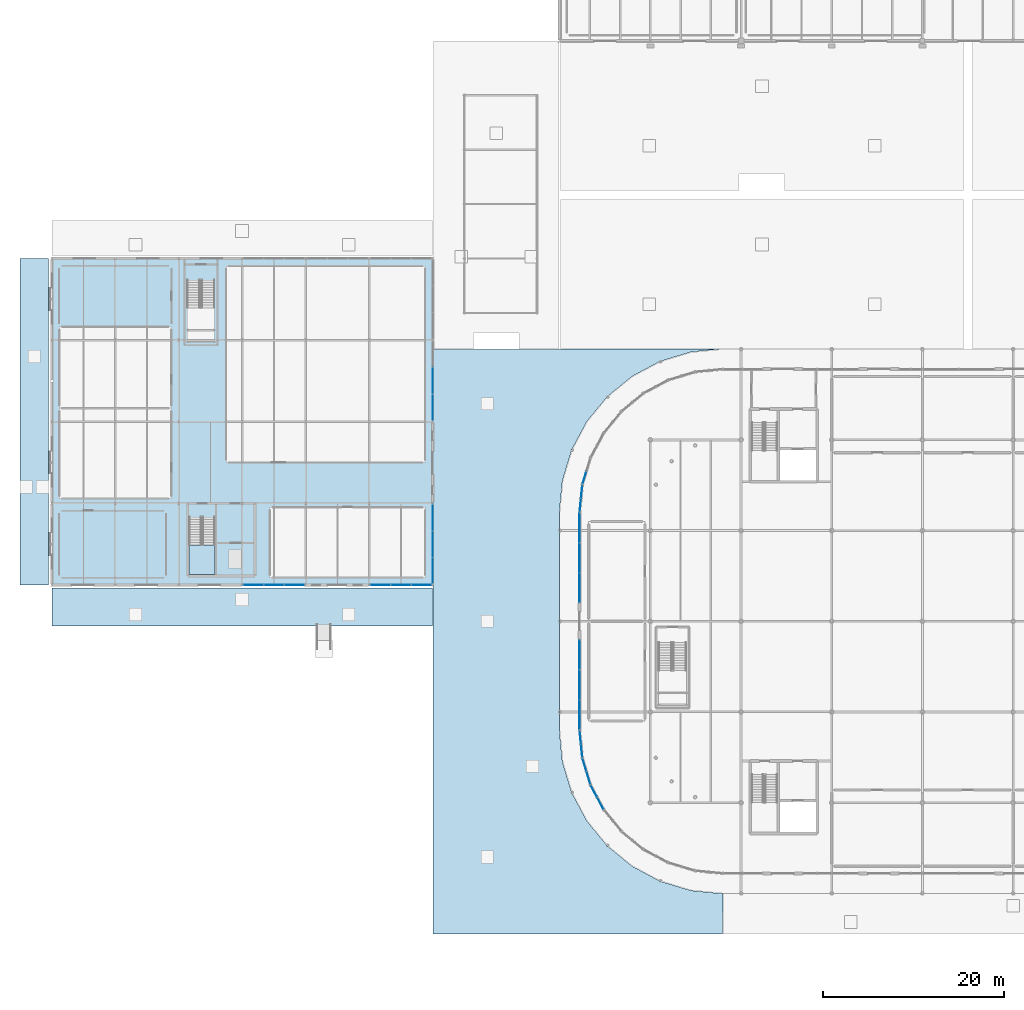
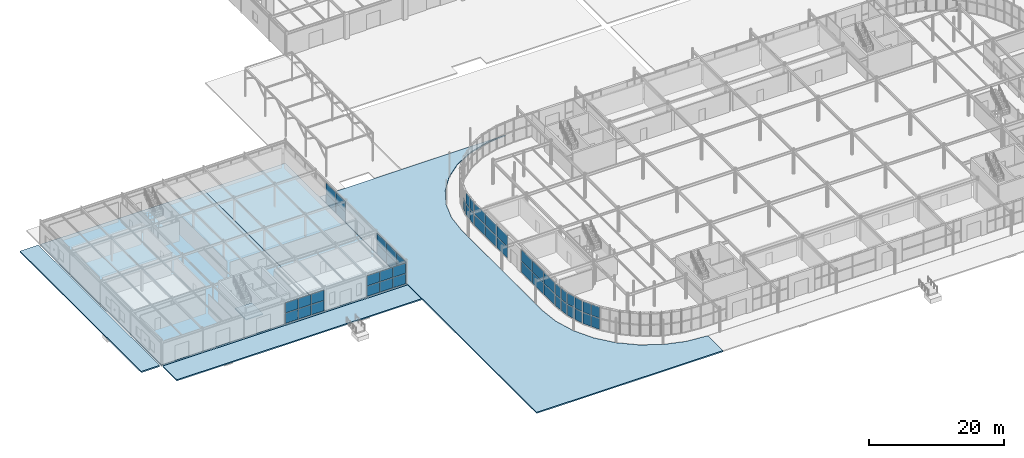
# One storey, part 73 of 119: 51 plates, 6 slabs, 12 elements without a shape of their own.
"""IFC4 building model written with IfcOpenShell, lengths in metres."""

from ifc_helpers import new_model, si_unit, derived_unit, direction, frame, origin, origin_2d_with_axis, place, context, subcontext, project, spatial, polyline, rectangle, outline, extrude, material, layer, layer_set, type_object, element, aggregate, save


model = new_model("IFC4")

# Units and contexts
model_context = context("Model", 3, precision=1e-05, world=origin(), true_north=direction((0.0, 1.0)))
body_context = subcontext(model_context, "Body", "Model", "MODEL_VIEW")
ifc_project = project(units=[si_unit("LENGTHUNIT", "METRE"), si_unit("AREAUNIT", "SQUARE_METRE"), si_unit("VOLUMEUNIT", "CUBIC_METRE"), si_unit("PLANEANGLEUNIT", "RADIAN"), si_unit("MASSUNIT", "GRAM", prefix="KILO"), derived_unit("THERMALTRANSMITTANCEUNIT", [(si_unit("POWERUNIT", "WATT"), 1), (si_unit("LENGTHUNIT", "METRE"), -2), (si_unit("THERMODYNAMICTEMPERATUREUNIT", "KELVIN"), -1)])], contexts=[model_context])

# Site, building, storey
site_placement = place(None, origin())
site = spatial("IfcSite", under=ifc_project, at=site_placement, CompositionType="ELEMENT")
building_placement = place(site_placement, origin())
building = spatial("IfcBuilding", under=site, at=building_placement, Name="Cinnabar Yard Market Hall", CompositionType="ELEMENT")
storey_placement = place(building_placement, origin())
storey = spatial("IfcBuildingStorey", under=building, at=storey_placement, Name="L00", CompositionType="ELEMENT", Elevation=0.0)

# Curtain wall, plates
ifc_material_1 = material(Name="Anodised bronze aluminium curved-chord facade", Category="aluminium")
curtain_wall_type_1 = type_object("IfcCurtainWallType", Name="CW-CWC031x42", PredefinedType="NOTDEFINED", material=ifc_material_1)
curtain_wall_1_placement = place(storey_placement, origin())
curtain_wall_1 = element("IfcCurtainWall", 1, at=curtain_wall_1_placement, inside=storey, type_object=curtain_wall_type_1, Name="Corner SW Chord 1 L00", PredefinedType="NOTDEFINED")
ifc_material_2 = material(Name="Low-E laminated glass", Category="glass")
ifc_layer_1 = layer(ifc_material_2, 0.031982421875)
ifc_layer_set_1 = layer_set([ifc_layer_1], Name="Low-E laminated glass")
plate_type_1 = type_object("IfcPlateType", Name="CWP-GP141x199", PredefinedType="CURTAIN_PANEL", material=ifc_layer_set_1)
plate_1_placement = place(storey_placement, frame((68.278076171875, 31.20703125, 0.08984375), z_axis=(0.0, 0.0, 1.0), x_axis=(0.098020369342, -0.995184408637, 0.0)))
plate_1 = element("IfcPlate", 2, at=plate_1_placement, type_object=plate_type_1, Name="CWC031x42 panel 1.1", PredefinedType="CURTAIN_PANEL", context=body_context, shape_type="SweptSolid", body=[
    extrude(rectangle(XDim=1.41357421875, YDim=0.031982421875, at=origin_2d_with_axis()), origin(), (0.0, 0.0, 1.0), 1.985107421875),
])
plate_2_placement = place(storey_placement, frame((68.278076171875, 31.20703125, 2.1650390625), z_axis=(0.0, 0.0, 1.0), x_axis=(0.098020369342, -0.995184408637, 0.0)))
plate_2 = element("IfcPlate", 3, at=plate_2_placement, type_object=plate_type_1, Name="CWC031x42 panel 1.2", PredefinedType="CURTAIN_PANEL", context=body_context, shape_type="SweptSolid", body=[
    extrude(rectangle(XDim=1.41357421875, YDim=0.031982421875, at=origin_2d_with_axis()), origin(), (0.0, 0.0, 1.0), 1.985107421875),
])
plate_3_placement = place(storey_placement, frame((68.425537109375, 29.710693359375, 0.08984375), z_axis=(0.0, 0.0, 1.0), x_axis=(0.098020369342, -0.995184408637, 0.0)))
plate_3 = element("IfcPlate", 4, at=plate_3_placement, type_object=plate_type_1, Name="CWC031x42 panel 2.1", PredefinedType="CURTAIN_PANEL", context=body_context, shape_type="SweptSolid", body=[
    extrude(rectangle(XDim=1.41357421875, YDim=0.031982421875, at=origin_2d_with_axis()), origin(), (0.0, 0.0, 1.0), 1.985107421875),
])
plate_4_placement = place(storey_placement, frame((68.425537109375, 29.710693359375, 2.1650390625), z_axis=(0.0, 0.0, 1.0), x_axis=(0.098020369342, -0.995184408637, 0.0)))
plate_4 = element("IfcPlate", 5, at=plate_4_placement, type_object=plate_type_1, Name="CWC031x42 panel 2.2", PredefinedType="CURTAIN_PANEL", context=body_context, shape_type="SweptSolid", body=[
    extrude(rectangle(XDim=1.41357421875, YDim=0.031982421875, at=origin_2d_with_axis()), origin(), (0.0, 0.0, 1.0), 1.985107421875),
])
aggregate(curtain_wall_1, [plate_1, plate_2, plate_3, plate_4])

curtain_wall_2_placement = place(storey_placement, origin())
curtain_wall_2 = element("IfcCurtainWall", 6, at=curtain_wall_2_placement, inside=storey, type_object=curtain_wall_type_1, Name="Corner SW Chord 2 L00", PredefinedType="NOTDEFINED")
plate_5_placement = place(storey_placement, frame((68.73486328125, 28.155029296875, 0.08984375), z_axis=(0.0, 0.0, 1.0), x_axis=(0.290278891325, -0.956942090856, 0.0)))
plate_5 = element("IfcPlate", 7, at=plate_5_placement, type_object=plate_type_1, Name="CWC031x42 panel 1.1", PredefinedType="CURTAIN_PANEL", context=body_context, shape_type="SweptSolid", body=[
    extrude(rectangle(XDim=1.41357421875, YDim=0.031982421875, at=origin_2d_with_axis()), origin(), (0.0, 0.0, 1.0), 1.985107421875),
])
plate_6_placement = place(storey_placement, frame((68.73486328125, 28.155029296875, 2.1650390625), z_axis=(0.0, 0.0, 1.0), x_axis=(0.290278891325, -0.956942090856, 0.0)))
plate_6 = element("IfcPlate", 8, at=plate_6_placement, type_object=plate_type_1, Name="CWC031x42 panel 1.2", PredefinedType="CURTAIN_PANEL", context=body_context, shape_type="SweptSolid", body=[
    extrude(rectangle(XDim=1.41357421875, YDim=0.031982421875, at=origin_2d_with_axis()), origin(), (0.0, 0.0, 1.0), 1.985107421875),
])
plate_7_placement = place(storey_placement, frame((69.17138671875, 26.716064453125, 0.08984375), z_axis=(0.0, 0.0, 1.0), x_axis=(0.290278891325, -0.956942090856, 0.0)))
plate_7 = element("IfcPlate", 9, at=plate_7_placement, type_object=plate_type_1, Name="CWC031x42 panel 2.1", PredefinedType="CURTAIN_PANEL", context=body_context, shape_type="SweptSolid", body=[
    extrude(rectangle(XDim=1.41357421875, YDim=0.031982421875, at=origin_2d_with_axis()), origin(), (0.0, 0.0, 1.0), 1.985107421875),
])
plate_8_placement = place(storey_placement, frame((69.17138671875, 26.716064453125, 2.1650390625), z_axis=(0.0, 0.0, 1.0), x_axis=(0.290278891325, -0.956942090856, 0.0)))
plate_8 = element("IfcPlate", 10, at=plate_8_placement, type_object=plate_type_1, Name="CWC031x42 panel 2.2", PredefinedType="CURTAIN_PANEL", context=body_context, shape_type="SweptSolid", body=[
    extrude(rectangle(XDim=1.41357421875, YDim=0.031982421875, at=origin_2d_with_axis()), origin(), (0.0, 0.0, 1.0), 1.985107421875),
])
aggregate(curtain_wall_2, [plate_5, plate_6, plate_7, plate_8])

curtain_wall_3_placement = place(storey_placement, origin())
curtain_wall_3 = element("IfcCurtainWall", 11, at=curtain_wall_3_placement, inside=storey, type_object=curtain_wall_type_1, Name="Corner SW Chord 3 L00", PredefinedType="NOTDEFINED")
plate_9_placement = place(storey_placement, frame((69.7783203125, 25.2509765625, 0.08984375), z_axis=(0.0, 0.0, 1.0), x_axis=(0.471404114786, -0.881917320707, 0.0)))
plate_9 = element("IfcPlate", 12, at=plate_9_placement, type_object=plate_type_1, Name="CWC031x42 panel 1.1", PredefinedType="CURTAIN_PANEL", context=body_context, shape_type="SweptSolid", body=[
    extrude(rectangle(XDim=1.41357421875, YDim=0.031982421875, at=origin_2d_with_axis()), origin(), (0.0, 0.0, 1.0), 1.985107421875),
])
plate_10_placement = place(storey_placement, frame((69.7783203125, 25.2509765625, 2.1650390625), z_axis=(0.0, 0.0, 1.0), x_axis=(0.471404114786, -0.881917320707, 0.0)))
plate_10 = element("IfcPlate", 13, at=plate_10_placement, type_object=plate_type_1, Name="CWC031x42 panel 1.2", PredefinedType="CURTAIN_PANEL", context=body_context, shape_type="SweptSolid", body=[
    extrude(rectangle(XDim=1.41357421875, YDim=0.031982421875, at=origin_2d_with_axis()), origin(), (0.0, 0.0, 1.0), 1.985107421875),
])
plate_11_placement = place(storey_placement, frame((70.487060546875, 23.9248046875, 0.08984375), z_axis=(0.0, 0.0, 1.0), x_axis=(0.471404114786, -0.881917320707, 0.0)))
plate_11 = element("IfcPlate", 14, at=plate_11_placement, type_object=plate_type_1, Name="CWC031x42 panel 2.1", PredefinedType="CURTAIN_PANEL", context=body_context, shape_type="SweptSolid", body=[
    extrude(rectangle(XDim=1.41357421875, YDim=0.031982421875, at=origin_2d_with_axis()), origin(), (0.0, 0.0, 1.0), 1.985107421875),
])
plate_12_placement = place(storey_placement, frame((70.487060546875, 23.9248046875, 2.1650390625), z_axis=(0.0, 0.0, 1.0), x_axis=(0.471404114786, -0.881917320707, 0.0)))
plate_12 = element("IfcPlate", 15, at=plate_12_placement, type_object=plate_type_1, Name="CWC031x42 panel 2.2", PredefinedType="CURTAIN_PANEL", context=body_context, shape_type="SweptSolid", body=[
    extrude(rectangle(XDim=1.41357421875, YDim=0.031982421875, at=origin_2d_with_axis()), origin(), (0.0, 0.0, 1.0), 1.985107421875),
])
aggregate(curtain_wall_3, [plate_9, plate_10, plate_11, plate_12])

# Curtain wall, plate
curtain_wall_4_placement = place(storey_placement, origin())
curtain_wall_4 = element("IfcCurtainWall", 16, at=curtain_wall_4_placement, inside=storey, type_object=curtain_wall_type_1, Name="Corner NW Chord 7 L00", PredefinedType="NOTDEFINED")
plate_13_placement = place(storey_placement, frame((68.73486328125, 59.844970703125, 0.08984375), z_axis=(0.0, 0.0, 1.0), x_axis=(-0.290278891325, -0.956942090856, 0.0)))
plate_13 = element("IfcPlate", 17, at=plate_13_placement, type_object=plate_type_1, Name="CWC031x42 panel 2.1", PredefinedType="CURTAIN_PANEL", context=body_context, shape_type="SweptSolid", body=[
    extrude(rectangle(XDim=1.41357421875, YDim=0.031982421875, at=origin_2d_with_axis()), origin(), (0.0, 0.0, 1.0), 1.985107421875),
])
aggregate(curtain_wall_4, [plate_13])

# Curtain wall, plates
curtain_wall_5_placement = place(storey_placement, origin())
curtain_wall_5 = element("IfcCurtainWall", 18, at=curtain_wall_5_placement, inside=storey, type_object=curtain_wall_type_1, Name="Corner NW Chord 8 L00", PredefinedType="NOTDEFINED")
plate_14_placement = place(storey_placement, frame((68.425537109375, 58.289306640625, 0.08984375), z_axis=(0.0, 0.0, 1.0), x_axis=(-0.098020369342, -0.995184408637, 0.0)))
plate_14 = element("IfcPlate", 19, at=plate_14_placement, type_object=plate_type_1, Name="CWC031x42 panel 1.1", PredefinedType="CURTAIN_PANEL", context=body_context, shape_type="SweptSolid", body=[
    extrude(rectangle(XDim=1.41357421875, YDim=0.031982421875, at=origin_2d_with_axis()), origin(), (0.0, 0.0, 1.0), 1.985107421875),
])
plate_15_placement = place(storey_placement, frame((68.425537109375, 58.289306640625, 2.1650390625), z_axis=(0.0, 0.0, 1.0), x_axis=(-0.098020369342, -0.995184408637, 0.0)))
plate_15 = element("IfcPlate", 20, at=plate_15_placement, type_object=plate_type_1, Name="CWC031x42 panel 1.2", PredefinedType="CURTAIN_PANEL", context=body_context, shape_type="SweptSolid", body=[
    extrude(rectangle(XDim=1.41357421875, YDim=0.031982421875, at=origin_2d_with_axis()), origin(), (0.0, 0.0, 1.0), 1.985107421875),
])
plate_16_placement = place(storey_placement, frame((68.278076171875, 56.79296875, 0.08984375), z_axis=(0.0, 0.0, 1.0), x_axis=(-0.098020369342, -0.995184408637, 0.0)))
plate_16 = element("IfcPlate", 21, at=plate_16_placement, type_object=plate_type_1, Name="CWC031x42 panel 2.1", PredefinedType="CURTAIN_PANEL", context=body_context, shape_type="SweptSolid", body=[
    extrude(rectangle(XDim=1.41357421875, YDim=0.031982421875, at=origin_2d_with_axis()), origin(), (0.0, 0.0, 1.0), 1.985107421875),
])
plate_17_placement = place(storey_placement, frame((68.278076171875, 56.79296875, 2.1650390625), z_axis=(0.0, 0.0, 1.0), x_axis=(-0.098020369342, -0.995184408637, 0.0)))
plate_17 = element("IfcPlate", 22, at=plate_17_placement, type_object=plate_type_1, Name="CWC031x42 panel 2.2", PredefinedType="CURTAIN_PANEL", context=body_context, shape_type="SweptSolid", body=[
    extrude(rectangle(XDim=1.41357421875, YDim=0.031982421875, at=origin_2d_with_axis()), origin(), (0.0, 0.0, 1.0), 1.985107421875),
])
aggregate(curtain_wall_5, [plate_14, plate_15, plate_16, plate_17])

ifc_material_3 = material(Name="Anodised bronze aluminium courtyard facade", Category="aluminium")
curtain_wall_type_2 = type_object("IfcCurtainWallType", Name="CW-CWF068x39", PredefinedType="NOTDEFINED", material=ifc_material_3)
curtain_wall_6_placement = place(storey_placement, origin())
curtain_wall_6 = element("IfcCurtainWall", 23, at=curtain_wall_6_placement, inside=storey, type_object=curtain_wall_type_2, Name="Pavilion South Glazed Arcade L00 Bay 4", PredefinedType="NOTDEFINED")
ifc_layer_2 = layer(ifc_material_2, 0.031982421875)
ifc_layer_set_2 = layer_set([ifc_layer_2], Name="Low-E laminated glass")
plate_type_2 = type_object("IfcPlateType", Name="CWP-GP215x183", PredefinedType="CURTAIN_PANEL", material=ifc_layer_set_2)
plate_18_placement = place(storey_placement, frame((32.252197265625, 48.0, 0.0751953125), z_axis=(0.0, 0.0, 1.0), x_axis=(1.0, 0.0, 0.0)))
plate_18 = element("IfcPlate", 24, at=plate_18_placement, type_object=plate_type_2, Name="CWF068x39 panel 1.1", PredefinedType="CURTAIN_PANEL", context=body_context, shape_type="SweptSolid", body=[
    extrude(rectangle(XDim=2.154052734375, YDim=0.031982421875, at=origin_2d_with_axis()), origin(), (0.0, 0.0, 1.0), 1.827392578125),
])
plate_19_placement = place(storey_placement, frame((32.252197265625, 48.0, 1.9775390625), z_axis=(0.0, 0.0, 1.0), x_axis=(1.0, 0.0, 0.0)))
plate_19 = element("IfcPlate", 25, at=plate_19_placement, type_object=plate_type_2, Name="CWF068x39 panel 1.2", PredefinedType="CURTAIN_PANEL", context=body_context, shape_type="SweptSolid", body=[
    extrude(rectangle(XDim=2.154052734375, YDim=0.031982421875, at=origin_2d_with_axis()), origin(), (0.0, 0.0, 1.0), 1.827392578125),
])
plate_20_placement = place(storey_placement, frame((36.747802734375, 48.0, 0.0751953125), z_axis=(0.0, 0.0, 1.0), x_axis=(1.0, 0.0, 0.0)))
plate_20 = element("IfcPlate", 26, at=plate_20_placement, type_object=plate_type_2, Name="CWF068x39 panel 3.1", PredefinedType="CURTAIN_PANEL", context=body_context, shape_type="SweptSolid", body=[
    extrude(rectangle(XDim=2.154052734375, YDim=0.031982421875, at=origin_2d_with_axis()), origin(), (0.0, 0.0, 1.0), 1.827392578125),
])
plate_21_placement = place(storey_placement, frame((36.747802734375, 48.0, 1.9775390625), z_axis=(0.0, 0.0, 1.0), x_axis=(1.0, 0.0, 0.0)))
plate_21 = element("IfcPlate", 27, at=plate_21_placement, type_object=plate_type_2, Name="CWF068x39 panel 3.2", PredefinedType="CURTAIN_PANEL", context=body_context, shape_type="SweptSolid", body=[
    extrude(rectangle(XDim=2.154052734375, YDim=0.031982421875, at=origin_2d_with_axis()), origin(), (0.0, 0.0, 1.0), 1.827392578125),
])

curtain_wall_7_placement = place(storey_placement, origin())
curtain_wall_7 = element("IfcCurtainWall", 28, at=curtain_wall_7_placement, inside=storey, type_object=curtain_wall_type_2, Name="Pavilion South Glazed Arcade L00 Bay 6", PredefinedType="NOTDEFINED")
plate_22_placement = place(storey_placement, frame((46.252197265625, 48.0, 0.0751953125), z_axis=(0.0, 0.0, 1.0), x_axis=(1.0, 0.0, 0.0)))
plate_22 = element("IfcPlate", 29, at=plate_22_placement, type_object=plate_type_2, Name="CWF068x39 panel 1.1", PredefinedType="CURTAIN_PANEL", context=body_context, shape_type="SweptSolid", body=[
    extrude(rectangle(XDim=2.154052734375, YDim=0.031982421875, at=origin_2d_with_axis()), origin(), (0.0, 0.0, 1.0), 1.827392578125),
])
plate_23_placement = place(storey_placement, frame((46.252197265625, 48.0, 1.9775390625), z_axis=(0.0, 0.0, 1.0), x_axis=(1.0, 0.0, 0.0)))
plate_23 = element("IfcPlate", 30, at=plate_23_placement, type_object=plate_type_2, Name="CWF068x39 panel 1.2", PredefinedType="CURTAIN_PANEL", context=body_context, shape_type="SweptSolid", body=[
    extrude(rectangle(XDim=2.154052734375, YDim=0.031982421875, at=origin_2d_with_axis()), origin(), (0.0, 0.0, 1.0), 1.827392578125),
])
plate_24_placement = place(storey_placement, frame((50.747802734375, 48.0, 0.0751953125), z_axis=(0.0, 0.0, 1.0), x_axis=(1.0, 0.0, 0.0)))
plate_24 = element("IfcPlate", 31, at=plate_24_placement, type_object=plate_type_2, Name="CWF068x39 panel 3.1", PredefinedType="CURTAIN_PANEL", context=body_context, shape_type="SweptSolid", body=[
    extrude(rectangle(XDim=2.154052734375, YDim=0.031982421875, at=origin_2d_with_axis()), origin(), (0.0, 0.0, 1.0), 1.827392578125),
])
plate_25_placement = place(storey_placement, frame((50.747802734375, 48.0, 1.9775390625), z_axis=(0.0, 0.0, 1.0), x_axis=(1.0, 0.0, 0.0)))
plate_25 = element("IfcPlate", 32, at=plate_25_placement, type_object=plate_type_2, Name="CWF068x39 panel 3.2", PredefinedType="CURTAIN_PANEL", context=body_context, shape_type="SweptSolid", body=[
    extrude(rectangle(XDim=2.154052734375, YDim=0.031982421875, at=origin_2d_with_axis()), origin(), (0.0, 0.0, 1.0), 1.827392578125),
])

# Plate
ifc_layer_3 = layer(ifc_material_2, 0.031982421875)
ifc_layer_set_3 = layer_set([ifc_layer_3], Name="Low-E laminated glass")
plate_type_3 = type_object("IfcPlateType", Name="CWP-GP219x183", PredefinedType="CURTAIN_PANEL", material=ifc_layer_set_3)
plate_26_placement = place(storey_placement, frame((34.5, 48.0, 0.0751953125), z_axis=(0.0, 0.0, 1.0), x_axis=(1.0, 0.0, 0.0)))
plate_26 = element("IfcPlate", 33, at=plate_26_placement, type_object=plate_type_3, Name="CWF068x39 panel 2.1", PredefinedType="CURTAIN_PANEL", context=body_context, shape_type="SweptSolid", body=[
    extrude(rectangle(XDim=2.191650390625, YDim=0.031982421875, at=origin_2d_with_axis()), origin(), (0.0, 0.0, 1.0), 1.827392578125),
])

plate_27_placement = place(storey_placement, frame((34.5, 48.0, 1.9775390625), z_axis=(0.0, 0.0, 1.0), x_axis=(1.0, 0.0, 0.0)))
plate_27 = element("IfcPlate", 34, at=plate_27_placement, type_object=plate_type_3, Name="CWF068x39 panel 2.2", PredefinedType="CURTAIN_PANEL", context=body_context, shape_type="SweptSolid", body=[
    extrude(rectangle(XDim=2.191650390625, YDim=0.031982421875, at=origin_2d_with_axis()), origin(), (0.0, 0.0, 1.0), 1.827392578125),
])

aggregate(curtain_wall_6, [plate_18, plate_19, plate_26, plate_27, plate_20, plate_21])

plate_28_placement = place(storey_placement, frame((48.5, 48.0, 0.0751953125), z_axis=(0.0, 0.0, 1.0), x_axis=(1.0, 0.0, 0.0)))
plate_28 = element("IfcPlate", 35, at=plate_28_placement, type_object=plate_type_3, Name="CWF068x39 panel 2.1", PredefinedType="CURTAIN_PANEL", context=body_context, shape_type="SweptSolid", body=[
    extrude(rectangle(XDim=2.191650390625, YDim=0.031982421875, at=origin_2d_with_axis()), origin(), (0.0, 0.0, 1.0), 1.827392578125),
])

plate_29_placement = place(storey_placement, frame((48.5, 48.0, 1.9775390625), z_axis=(0.0, 0.0, 1.0), x_axis=(1.0, 0.0, 0.0)))
plate_29 = element("IfcPlate", 36, at=plate_29_placement, type_object=plate_type_3, Name="CWF068x39 panel 2.2", PredefinedType="CURTAIN_PANEL", context=body_context, shape_type="SweptSolid", body=[
    extrude(rectangle(XDim=2.191650390625, YDim=0.031982421875, at=origin_2d_with_axis()), origin(), (0.0, 0.0, 1.0), 1.827392578125),
])

aggregate(curtain_wall_7, [plate_22, plate_23, plate_28, plate_29, plate_24, plate_25])

# Curtain wall, plates
curtain_wall_type_3 = type_object("IfcCurtainWallType", Name="CW-CWF088x39", PredefinedType="NOTDEFINED", material=ifc_material_3)
curtain_wall_8_placement = place(storey_placement, origin())
curtain_wall_8 = element("IfcCurtainWall", 37, at=curtain_wall_8_placement, inside=storey, type_object=curtain_wall_type_3, Name="Pavilion Courtyard Glazing L00 Bay 1", PredefinedType="NOTDEFINED")
ifc_layer_4 = layer(ifc_material_2, 0.031982421875)
ifc_layer_set_4 = layer_set([ifc_layer_4], Name="Low-E laminated glass")
plate_type_4 = type_object("IfcPlateType", Name="CWP-GP282x183", PredefinedType="CURTAIN_PANEL", material=ifc_layer_set_4)
plate_30_placement = place(storey_placement, frame((52.0, 49.58544921875, 0.0751953125), z_axis=(0.0, 0.0, 1.0), x_axis=(0.0, 1.0, 0.0)))
plate_30 = element("IfcPlate", 38, at=plate_30_placement, type_object=plate_type_4, Name="CWF088x39 panel 1.1", PredefinedType="CURTAIN_PANEL", context=body_context, shape_type="SweptSolid", body=[
    extrude(rectangle(XDim=2.82080078125, YDim=0.031982421875, at=origin_2d_with_axis()), origin(), (0.0, 0.0, 1.0), 1.827392578125),
])
plate_31_placement = place(storey_placement, frame((52.0, 49.58544921875, 1.9775390625), z_axis=(0.0, 0.0, 1.0), x_axis=(0.0, 1.0, 0.0)))
plate_31 = element("IfcPlate", 39, at=plate_31_placement, type_object=plate_type_4, Name="CWF088x39 panel 1.2", PredefinedType="CURTAIN_PANEL", context=body_context, shape_type="SweptSolid", body=[
    extrude(rectangle(XDim=2.82080078125, YDim=0.031982421875, at=origin_2d_with_axis()), origin(), (0.0, 0.0, 1.0), 1.827392578125),
])
plate_32_placement = place(storey_placement, frame((52.0, 55.41455078125, 0.0751953125), z_axis=(0.0, 0.0, 1.0), x_axis=(0.0, 1.0, 0.0)))
plate_32 = element("IfcPlate", 40, at=plate_32_placement, type_object=plate_type_4, Name="CWF088x39 panel 3.1", PredefinedType="CURTAIN_PANEL", context=body_context, shape_type="SweptSolid", body=[
    extrude(rectangle(XDim=2.82080078125, YDim=0.031982421875, at=origin_2d_with_axis()), origin(), (0.0, 0.0, 1.0), 1.827392578125),
])
plate_33_placement = place(storey_placement, frame((52.0, 55.41455078125, 1.9775390625), z_axis=(0.0, 0.0, 1.0), x_axis=(0.0, 1.0, 0.0)))
plate_33 = element("IfcPlate", 41, at=plate_33_placement, type_object=plate_type_4, Name="CWF088x39 panel 3.2", PredefinedType="CURTAIN_PANEL", context=body_context, shape_type="SweptSolid", body=[
    extrude(rectangle(XDim=2.82080078125, YDim=0.031982421875, at=origin_2d_with_axis()), origin(), (0.0, 0.0, 1.0), 1.827392578125),
])

curtain_wall_9_placement = place(storey_placement, origin())
curtain_wall_9 = element("IfcCurtainWall", 42, at=curtain_wall_9_placement, inside=storey, type_object=curtain_wall_type_3, Name="Pavilion Courtyard Glazing L00 Bay 3", PredefinedType="NOTDEFINED")
plate_34_placement = place(storey_placement, frame((52.0, 67.58544921875, 0.0751953125), z_axis=(0.0, 0.0, 1.0), x_axis=(0.0, 1.0, 0.0)))
plate_34 = element("IfcPlate", 43, at=plate_34_placement, type_object=plate_type_4, Name="CWF088x39 panel 1.1", PredefinedType="CURTAIN_PANEL", context=body_context, shape_type="SweptSolid", body=[
    extrude(rectangle(XDim=2.82080078125, YDim=0.031982421875, at=origin_2d_with_axis()), origin(), (0.0, 0.0, 1.0), 1.827392578125),
])
plate_35_placement = place(storey_placement, frame((52.0, 67.58544921875, 1.9775390625), z_axis=(0.0, 0.0, 1.0), x_axis=(0.0, 1.0, 0.0)))
plate_35 = element("IfcPlate", 44, at=plate_35_placement, type_object=plate_type_4, Name="CWF088x39 panel 1.2", PredefinedType="CURTAIN_PANEL", context=body_context, shape_type="SweptSolid", body=[
    extrude(rectangle(XDim=2.82080078125, YDim=0.031982421875, at=origin_2d_with_axis()), origin(), (0.0, 0.0, 1.0), 1.827392578125),
])

# Plate
ifc_layer_5 = layer(ifc_material_2, 0.031982421875)
ifc_layer_set_5 = layer_set([ifc_layer_5], Name="Low-E laminated glass")
plate_type_5 = type_object("IfcPlateType", Name="CWP-GP286x183", PredefinedType="CURTAIN_PANEL", material=ifc_layer_set_5)
plate_36_placement = place(storey_placement, frame((52.0, 52.5, 0.0751953125), z_axis=(0.0, 0.0, 1.0), x_axis=(0.0, 1.0, 0.0)))
plate_36 = element("IfcPlate", 45, at=plate_36_placement, type_object=plate_type_5, Name="CWF088x39 panel 2.1", PredefinedType="CURTAIN_PANEL", context=body_context, shape_type="SweptSolid", body=[
    extrude(rectangle(XDim=2.8583984375, YDim=0.031982421875, at=origin_2d_with_axis()), origin(), (0.0, 0.0, 1.0), 1.827392578125),
])

plate_37_placement = place(storey_placement, frame((52.0, 52.5, 1.9775390625), z_axis=(0.0, 0.0, 1.0), x_axis=(0.0, 1.0, 0.0)))
plate_37 = element("IfcPlate", 46, at=plate_37_placement, type_object=plate_type_5, Name="CWF088x39 panel 2.2", PredefinedType="CURTAIN_PANEL", context=body_context, shape_type="SweptSolid", body=[
    extrude(rectangle(XDim=2.8583984375, YDim=0.031982421875, at=origin_2d_with_axis()), origin(), (0.0, 0.0, 1.0), 1.827392578125),
])

aggregate(curtain_wall_8, [plate_30, plate_31, plate_36, plate_37, plate_32, plate_33])

plate_38_placement = place(storey_placement, frame((52.0, 70.5, 0.0751953125), z_axis=(0.0, 0.0, 1.0), x_axis=(0.0, 1.0, 0.0)))
plate_38 = element("IfcPlate", 47, at=plate_38_placement, type_object=plate_type_5, Name="CWF088x39 panel 2.1", PredefinedType="CURTAIN_PANEL", context=body_context, shape_type="SweptSolid", body=[
    extrude(rectangle(XDim=2.8583984375, YDim=0.031982421875, at=origin_2d_with_axis()), origin(), (0.0, 0.0, 1.0), 1.827392578125),
])

plate_39_placement = place(storey_placement, frame((52.0, 70.5, 1.9775390625), z_axis=(0.0, 0.0, 1.0), x_axis=(0.0, 1.0, 0.0)))
plate_39 = element("IfcPlate", 48, at=plate_39_placement, type_object=plate_type_5, Name="CWF088x39 panel 2.2", PredefinedType="CURTAIN_PANEL", context=body_context, shape_type="SweptSolid", body=[
    extrude(rectangle(XDim=2.8583984375, YDim=0.031982421875, at=origin_2d_with_axis()), origin(), (0.0, 0.0, 1.0), 1.827392578125),
])

aggregate(curtain_wall_9, [plate_34, plate_35, plate_38, plate_39])

# Curtain wall, plates
ifc_material_4 = material(Name="Anodised bronze aluminium and low-E glass", Category="aluminium")
curtain_wall_type_4 = type_object("IfcCurtainWallType", Name="CW-CWH100x42", PredefinedType="NOTDEFINED", material=ifc_material_4)
curtain_wall_10_placement = place(storey_placement, origin())
curtain_wall_10 = element("IfcCurtainWall", 49, at=curtain_wall_10_placement, inside=storey, type_object=curtain_wall_type_4, Name="Market Hall West Ground Glazing W1", PredefinedType="NOTDEFINED")
ifc_layer_6 = layer(ifc_material_2, 0.031982421875)
ifc_layer_set_6 = layer_set([ifc_layer_6], Name="Low-E laminated glass")
plate_type_6 = type_object("IfcPlateType", Name="CWP-GP321x200", PredefinedType="CURTAIN_PANEL", material=ifc_layer_set_6)
plate_40_placement = place(storey_placement, frame((68.199951171875, 40.313232421875, 0.080078125), z_axis=(0.0, 0.0, 1.0), x_axis=(0.0, -1.0, 0.0)))
plate_40 = element("IfcPlate", 50, at=plate_40_placement, type_object=plate_type_6, Name="CWH100x42 panel 1.1", PredefinedType="CURTAIN_PANEL", context=body_context, shape_type="SweptSolid", body=[
    extrude(rectangle(XDim=3.21337890625, YDim=0.031982421875, at=origin_2d_with_axis()), origin(), (0.0, 0.0, 1.0), 2.0),
])
plate_41_placement = place(storey_placement, frame((68.199951171875, 40.313232421875, 2.159912109375), z_axis=(0.0, 0.0, 1.0), x_axis=(0.0, -1.0, 0.0)))
plate_41 = element("IfcPlate", 51, at=plate_41_placement, type_object=plate_type_6, Name="CWH100x42 panel 1.2", PredefinedType="CURTAIN_PANEL", context=body_context, shape_type="SweptSolid", body=[
    extrude(rectangle(XDim=3.21337890625, YDim=0.031982421875, at=origin_2d_with_axis()), origin(), (0.0, 0.0, 1.0), 2.0),
])
plate_42_placement = place(storey_placement, frame((68.199951171875, 33.686767578125, 0.080078125), z_axis=(0.0, 0.0, 1.0), x_axis=(0.0, -1.0, 0.0)))
plate_42 = element("IfcPlate", 52, at=plate_42_placement, type_object=plate_type_6, Name="CWH100x42 panel 3.1", PredefinedType="CURTAIN_PANEL", context=body_context, shape_type="SweptSolid", body=[
    extrude(rectangle(XDim=3.21337890625, YDim=0.031982421875, at=origin_2d_with_axis()), origin(), (0.0, 0.0, 1.0), 2.0),
])
plate_43_placement = place(storey_placement, frame((68.199951171875, 33.686767578125, 2.159912109375), z_axis=(0.0, 0.0, 1.0), x_axis=(0.0, -1.0, 0.0)))
plate_43 = element("IfcPlate", 53, at=plate_43_placement, type_object=plate_type_6, Name="CWH100x42 panel 3.2", PredefinedType="CURTAIN_PANEL", context=body_context, shape_type="SweptSolid", body=[
    extrude(rectangle(XDim=3.21337890625, YDim=0.031982421875, at=origin_2d_with_axis()), origin(), (0.0, 0.0, 1.0), 2.0),
])

curtain_wall_11_placement = place(storey_placement, origin())
curtain_wall_11 = element("IfcCurtainWall", 54, at=curtain_wall_11_placement, inside=storey, type_object=curtain_wall_type_4, Name="Market Hall West Ground Glazing W2", PredefinedType="NOTDEFINED")
plate_44_placement = place(storey_placement, frame((68.199951171875, 54.313232421875, 0.080078125), z_axis=(0.0, 0.0, 1.0), x_axis=(0.0, -1.0, 0.0)))
plate_44 = element("IfcPlate", 55, at=plate_44_placement, type_object=plate_type_6, Name="CWH100x42 panel 1.1", PredefinedType="CURTAIN_PANEL", context=body_context, shape_type="SweptSolid", body=[
    extrude(rectangle(XDim=3.21337890625, YDim=0.031982421875, at=origin_2d_with_axis()), origin(), (0.0, 0.0, 1.0), 2.0),
])
plate_45_placement = place(storey_placement, frame((68.199951171875, 54.313232421875, 2.159912109375), z_axis=(0.0, 0.0, 1.0), x_axis=(0.0, -1.0, 0.0)))
plate_45 = element("IfcPlate", 56, at=plate_45_placement, type_object=plate_type_6, Name="CWH100x42 panel 1.2", PredefinedType="CURTAIN_PANEL", context=body_context, shape_type="SweptSolid", body=[
    extrude(rectangle(XDim=3.21337890625, YDim=0.031982421875, at=origin_2d_with_axis()), origin(), (0.0, 0.0, 1.0), 2.0),
])
plate_46_placement = place(storey_placement, frame((68.199951171875, 47.686767578125, 0.080078125), z_axis=(0.0, 0.0, 1.0), x_axis=(0.0, -1.0, 0.0)))
plate_46 = element("IfcPlate", 57, at=plate_46_placement, type_object=plate_type_6, Name="CWH100x42 panel 3.1", PredefinedType="CURTAIN_PANEL", context=body_context, shape_type="SweptSolid", body=[
    extrude(rectangle(XDim=3.21337890625, YDim=0.031982421875, at=origin_2d_with_axis()), origin(), (0.0, 0.0, 1.0), 2.0),
])
plate_47_placement = place(storey_placement, frame((68.199951171875, 47.686767578125, 2.159912109375), z_axis=(0.0, 0.0, 1.0), x_axis=(0.0, -1.0, 0.0)))
plate_47 = element("IfcPlate", 58, at=plate_47_placement, type_object=plate_type_6, Name="CWH100x42 panel 3.2", PredefinedType="CURTAIN_PANEL", context=body_context, shape_type="SweptSolid", body=[
    extrude(rectangle(XDim=3.21337890625, YDim=0.031982421875, at=origin_2d_with_axis()), origin(), (0.0, 0.0, 1.0), 2.0),
])

# Plate
ifc_layer_7 = layer(ifc_material_2, 0.031982421875)
ifc_layer_set_7 = layer_set([ifc_layer_7], Name="Low-E laminated glass")
plate_type_7 = type_object("IfcPlateType", Name="CWP-GP325x200", PredefinedType="CURTAIN_PANEL", material=ifc_layer_set_7)
plate_48_placement = place(storey_placement, frame((68.199951171875, 37.0, 0.080078125), z_axis=(0.0, 0.0, 1.0), x_axis=(0.0, -1.0, 0.0)))
plate_48 = element("IfcPlate", 59, at=plate_48_placement, type_object=plate_type_7, Name="CWH100x42 panel 2.1", PredefinedType="CURTAIN_PANEL", context=body_context, shape_type="SweptSolid", body=[
    extrude(rectangle(XDim=3.25341796875, YDim=0.031982421875, at=origin_2d_with_axis()), origin(), (0.0, 0.0, 1.0), 2.0),
])

plate_49_placement = place(storey_placement, frame((68.199951171875, 37.0, 2.159912109375), z_axis=(0.0, 0.0, 1.0), x_axis=(0.0, -1.0, 0.0)))
plate_49 = element("IfcPlate", 60, at=plate_49_placement, type_object=plate_type_7, Name="CWH100x42 panel 2.2", PredefinedType="CURTAIN_PANEL", context=body_context, shape_type="SweptSolid", body=[
    extrude(rectangle(XDim=3.25341796875, YDim=0.031982421875, at=origin_2d_with_axis()), origin(), (0.0, 0.0, 1.0), 2.0),
])

aggregate(curtain_wall_10, [plate_40, plate_41, plate_48, plate_49, plate_42, plate_43])

plate_50_placement = place(storey_placement, frame((68.199951171875, 51.0, 0.080078125), z_axis=(0.0, 0.0, 1.0), x_axis=(0.0, -1.0, 0.0)))
plate_50 = element("IfcPlate", 61, at=plate_50_placement, type_object=plate_type_7, Name="CWH100x42 panel 2.1", PredefinedType="CURTAIN_PANEL", context=body_context, shape_type="SweptSolid", body=[
    extrude(rectangle(XDim=3.25341796875, YDim=0.031982421875, at=origin_2d_with_axis()), origin(), (0.0, 0.0, 1.0), 2.0),
])

plate_51_placement = place(storey_placement, frame((68.199951171875, 51.0, 2.159912109375), z_axis=(0.0, 0.0, 1.0), x_axis=(0.0, -1.0, 0.0)))
plate_51 = element("IfcPlate", 62, at=plate_51_placement, type_object=plate_type_7, Name="CWH100x42 panel 2.2", PredefinedType="CURTAIN_PANEL", context=body_context, shape_type="SweptSolid", body=[
    extrude(rectangle(XDim=3.25341796875, YDim=0.031982421875, at=origin_2d_with_axis()), origin(), (0.0, 0.0, 1.0), 2.0),
])

aggregate(curtain_wall_11, [plate_44, plate_45, plate_50, plate_51, plate_46, plate_47])

# Slabs
ifc_material_5 = material(Name="Concrete 40 MPa", Category="concrete")
ifc_layer_8 = layer(ifc_material_5, 0.219970703125)
ifc_layer_set_8 = layer_set([ifc_layer_8], Name="Concrete 40 MPa")
slab_type_1 = type_object("IfcSlabType", Name="SL-APRON", PredefinedType="BASESLAB", material=ifc_layer_set_8)
slab_1_placement = place(storey_placement, frame((0.0, 0.0, -0.219970703125)))
element("IfcSlab", 63, at=slab_1_placement, inside=storey, type_object=slab_type_1, Name="West Market Forecourt Apron", PredefinedType="BASESLAB", context=body_context, shape_type="SweptSolid", body=[
    extrude(outline(polyline([(52.0400390625, 9.5), (83.9599609375, 9.5), (84.0, 13.9599609375), (80.480712890625, 14.306640625), (77.096435546875, 15.333251953125), (73.9775390625, 17.000244140625), (71.243896484375, 19.243896484375), (69.000244140625, 21.9775390625), (67.333251953125, 25.096435546875), (66.306640625, 28.480712890625), (65.9599609375, 32.0), (65.9599609375, 56.0), (66.306640625, 59.519287109375), (67.333251953125, 62.903564453125), (69.000244140625, 66.0224609375), (71.243896484375, 68.756103515625), (73.9775390625, 70.999755859375), (77.096435546875, 72.666748046875), (80.480712890625, 73.693359375), (84.0, 74.0400390625), (52.0400390625, 73.9599609375), (52.0400390625, 9.5)])), origin(), (0.0, 0.0, 1.0), 0.219970703125),
])
slab_2_placement = place(storey_placement, frame((0.0, 0.0, -0.219970703125)))
element("IfcSlab", 64, at=slab_2_placement, inside=storey, type_object=slab_type_1, Name="Food Court South Entry Apron", PredefinedType="BASESLAB", context=body_context, shape_type="SweptSolid", body=[
    extrude(outline(polyline([(10.0, 43.5), (51.9599609375, 43.5), (51.9599609375, 47.64990234375), (10.0, 47.64990234375), (10.0, 43.5)])), origin(), (0.0, 0.0, 1.0), 0.219970703125),
])
slab_3_placement = place(storey_placement, frame((0.0, 0.0, -0.219970703125)))
element("IfcSlab", 65, at=slab_3_placement, inside=storey, type_object=slab_type_1, Name="Food Court West Service Apron", PredefinedType="BASESLAB", context=body_context, shape_type="SweptSolid", body=[
    extrude(outline(polyline([(6.5, 48.0), (9.64990234375, 48.0), (9.64990234375, 84.0), (6.5, 84.0), (6.5, 48.0)])), origin(), (0.0, 0.0, 1.0), 0.219970703125),
])
ifc_layer_9 = layer(ifc_material_5, 0.280029296875)
ifc_layer_set_9 = layer_set([ifc_layer_9], Name="Concrete 40 MPa")
slab_type_2 = type_object("IfcSlabType", Name="SL-L00G", PredefinedType="BASESLAB", material=ifc_layer_set_9)
slab_4_placement = place(storey_placement, frame((0.0, 0.0, -0.280029296875)))
element("IfcSlab", 66, at=slab_4_placement, inside=storey, type_object=slab_type_2, Name="L00 Food Court Ground Slab Bay 1", PredefinedType="BASESLAB", context=body_context, shape_type="SweptSolid", body=[
    extrude(outline(polyline([(10.0, 48.0), (38.0, 48.0), (38.0, 84.0), (10.0, 84.0), (10.0, 48.0)])), origin(), (0.0, 0.0, 1.0), 0.280029296875),
])
slab_5_placement = place(storey_placement, frame((0.0, 0.0, -0.280029296875)))
element("IfcSlab", 67, at=slab_5_placement, inside=storey, type_object=slab_type_2, Name="L00 Food Court Ground Slab Bay 2", PredefinedType="BASESLAB", context=body_context, shape_type="SweptSolid", body=[
    extrude(outline(polyline([(38.0400390625, 48.0), (52.0, 48.0), (52.0, 84.0), (38.0400390625, 84.0), (38.0400390625, 48.0)])), origin(), (0.0, 0.0, 1.0), 0.280029296875),
])

# Stair, slab
stair_type = type_object("IfcStairType", Name="ST-CORE", PredefinedType="HALF_TURN_STAIR", material=ifc_material_5)
stair_placement = place(storey_placement, origin())
stair = element("IfcStair", 68, at=stair_placement, inside=storey, type_object=stair_type, Name="L00 Food Court Pavilion Core Stair", PredefinedType="HALF_TURN_STAIR")
ifc_layer_10 = layer(ifc_material_5, 0.199951171875)
ifc_layer_set_10 = layer_set([ifc_layer_10], Name="Concrete 40 MPa")
slab_type_3 = type_object("IfcSlabType", Name="SL-LAND", PredefinedType="LANDING", material=ifc_layer_set_10)
slab_6_placement = place(storey_placement, frame((0.0, 0.0, 2.050048828125)))
slab_6 = element("IfcSlab", 69, at=slab_6_placement, type_object=slab_type_3, Name="ST-C4 landing 1", PredefinedType="LANDING", context=body_context, shape_type="SweptSolid", body=[
    extrude(outline(polyline([(25.139892578125, 52.429931640625), (25.139892578125, 49.139892578125), (28.0, 49.139892578125), (28.0, 52.429931640625), (25.139892578125, 52.429931640625)])), origin(), (0.0, 0.0, 1.0), 0.199951171875),
])
aggregate(stair, [slab_6])

save(model, "model.ifc")
